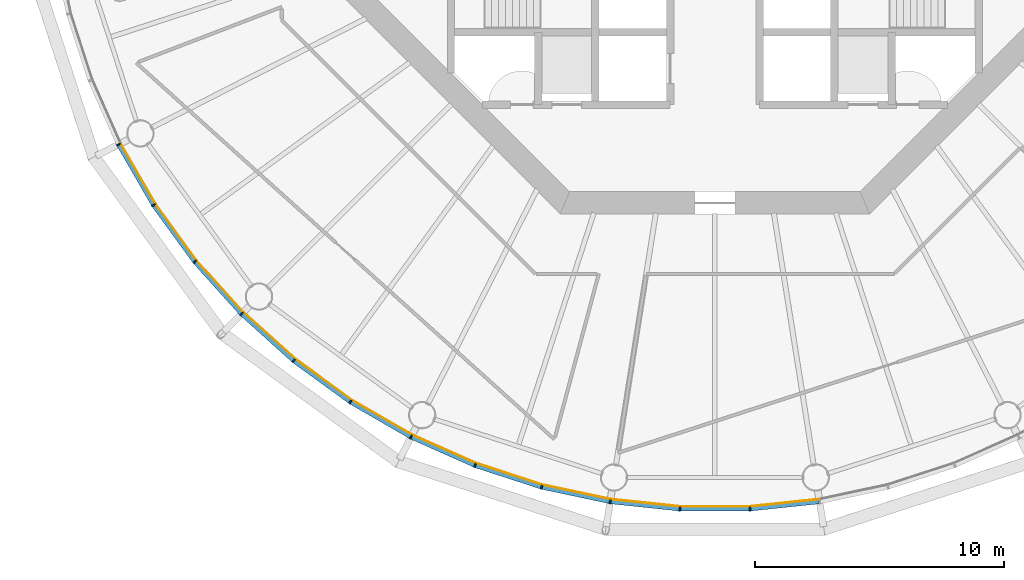
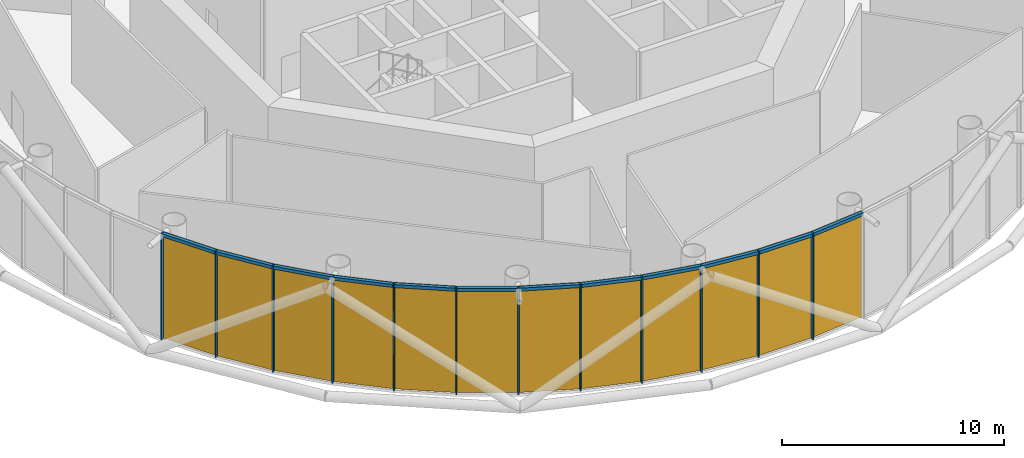
# One storey, part 7 of 14: 24 members, 4 curtain walls.
"""IFC4 building model written with IfcOpenShell, lengths in metres."""

from ifc_helpers import new_model, si_unit, direction, frame, origin, origin_2d, place, context, subcontext, project, spatial, polyline, rectangle, outline, extrude, material, layer, layer_set, material_profile, profile_set, type_object, element, aggregate, save


model = new_model("IFC4")

# Units and contexts
model_context = context("Model", 3, precision=1e-05, world=origin(), true_north=direction((0.0, 1.0)))
body_context = subcontext(model_context, "Body", "Model", "MODEL_VIEW")
ifc_project = project(units=[si_unit("LENGTHUNIT", "METRE"), si_unit("AREAUNIT", "SQUARE_METRE"), si_unit("VOLUMEUNIT", "CUBIC_METRE"), si_unit("PLANEANGLEUNIT", "RADIAN"), si_unit("MASSUNIT", "GRAM", prefix="KILO")], contexts=[model_context])

# Member
ifc_material_1 = material(Name="Anodised aluminium", Category="aluminium")
ifc_material_profile_1 = material_profile(ifc_material_1, rectangle(XDim=0.06005859375, YDim=0.169921875, at=origin_2d()), Name="Mullion 60 x 170 mm anodised aluminium")
ifc_profile_set_1 = profile_set([ifc_material_profile_1], Name="Anodised aluminium")
member_type_1 = type_object("IfcMemberType", Name="Mullion 60 x 170 mm anodised aluminium", PredefinedType="MULLION", material=ifc_profile_set_1)
site_placement = place(None, origin())
building_placement = place(site_placement, origin())
storey_placement = place(building_placement, frame((0.0, 0.0, 262.0)))
member_1_placement = place(storey_placement, frame((66.04541015625, 67.79443359375, 0.0), z_axis=(0.0, 0.0, 1.0), x_axis=(0.45399049974, -0.891006524188, 0.0)))
member_1 = element("IfcMember", 1, at=member_1_placement, type_object=member_type_1, Name="MULLION L60-33", PredefinedType="MULLION", context=body_context, shape_type="SweptSolid", body=[
    extrude(rectangle(XDim=0.06005859375, YDim=0.169921875, at=origin_2d()), origin(), (0.0, 0.0, 1.0), 5.85009765625),
])

member_2_placement = place(storey_placement, frame((67.452392578125, 65.357421875, 0.0), z_axis=(0.0, 0.0, 1.0), x_axis=(0.544639035015, -0.838670567945, 0.0)))
member_2 = element("IfcMember", 2, at=member_2_placement, type_object=member_type_1, Name="MULLION L60-34", PredefinedType="MULLION", context=body_context, shape_type="SweptSolid", body=[
    extrude(rectangle(XDim=0.06005859375, YDim=0.169921875, at=origin_2d()), origin(), (0.0, 0.0, 1.0), 5.85009765625),
])

member_3_placement = place(storey_placement, frame((69.1064453125, 63.080810546875, 0.0), z_axis=(0.0, 0.0, 1.0), x_axis=(0.62932039105, -0.777145961457, 0.0)))
member_3 = element("IfcMember", 3, at=member_3_placement, type_object=member_type_1, Name="MULLION L60-35", PredefinedType="MULLION", context=body_context, shape_type="SweptSolid", body=[
    extrude(rectangle(XDim=0.06005859375, YDim=0.169921875, at=origin_2d()), origin(), (0.0, 0.0, 1.0), 5.85009765625),
])

member_4_placement = place(storey_placement, frame((70.989501953125, 60.989501953125, 0.0), z_axis=(0.0, 0.0, 1.0), x_axis=(0.707106781187, -0.707106781187, 0.0)))
member_4 = element("IfcMember", 4, at=member_4_placement, type_object=member_type_1, Name="MULLION L60-36", PredefinedType="MULLION", context=body_context, shape_type="SweptSolid", body=[
    extrude(rectangle(XDim=0.06005859375, YDim=0.169921875, at=origin_2d()), origin(), (0.0, 0.0, 1.0), 5.85009765625),
])

member_5_placement = place(storey_placement, frame((73.080810546875, 59.1064453125, 0.0), z_axis=(0.0, 0.0, 1.0), x_axis=(0.777145961457, -0.62932039105, 0.0)))
member_5 = element("IfcMember", 5, at=member_5_placement, type_object=member_type_1, Name="MULLION L60-37", PredefinedType="MULLION", context=body_context, shape_type="SweptSolid", body=[
    extrude(rectangle(XDim=0.06005859375, YDim=0.169921875, at=origin_2d()), origin(), (0.0, 0.0, 1.0), 5.85009765625),
])

member_6_placement = place(storey_placement, frame((75.357421875, 57.452392578125, 0.0), z_axis=(0.0, 0.0, 1.0), x_axis=(0.838670567945, -0.544639035015, 0.0)))
member_6 = element("IfcMember", 6, at=member_6_placement, type_object=member_type_1, Name="MULLION L60-38", PredefinedType="MULLION", context=body_context, shape_type="SweptSolid", body=[
    extrude(rectangle(XDim=0.06005859375, YDim=0.169921875, at=origin_2d()), origin(), (0.0, 0.0, 1.0), 5.85009765625),
])

member_7_placement = place(storey_placement, frame((77.79443359375, 56.04541015625, 0.0), z_axis=(0.0, 0.0, 1.0), x_axis=(0.891006524188, -0.45399049974, 0.0)))
member_7 = element("IfcMember", 7, at=member_7_placement, type_object=member_type_1, Name="MULLION L60-39", PredefinedType="MULLION", context=body_context, shape_type="SweptSolid", body=[
    extrude(rectangle(XDim=0.06005859375, YDim=0.169921875, at=origin_2d()), origin(), (0.0, 0.0, 1.0), 5.85009765625),
])

member_8_placement = place(storey_placement, frame((80.365234375, 54.900634765625, 0.0), z_axis=(0.0, 0.0, 1.0), x_axis=(0.933580426497, -0.358367949545, 0.0)))
member_8 = element("IfcMember", 8, at=member_8_placement, type_object=member_type_1, Name="MULLION L60-40", PredefinedType="MULLION", context=body_context, shape_type="SweptSolid", body=[
    extrude(rectangle(XDim=0.06005859375, YDim=0.169921875, at=origin_2d()), origin(), (0.0, 0.0, 1.0), 5.85009765625),
])

member_9_placement = place(storey_placement, frame((83.041748046875, 54.031005859375, 0.0), z_axis=(0.0, 0.0, 1.0), x_axis=(0.965925826289, -0.258819045103, 0.0)))
member_9 = element("IfcMember", 9, at=member_9_placement, type_object=member_type_1, Name="MULLION L60-41", PredefinedType="MULLION", context=body_context, shape_type="SweptSolid", body=[
    extrude(rectangle(XDim=0.06005859375, YDim=0.169921875, at=origin_2d()), origin(), (0.0, 0.0, 1.0), 5.85009765625),
])

member_10_placement = place(storey_placement, frame((85.794189453125, 53.446044921875, 0.0), z_axis=(0.0, 0.0, 1.0), x_axis=(0.987688340595, -0.15643446504, 0.0)))
member_10 = element("IfcMember", 10, at=member_10_placement, type_object=member_type_1, Name="MULLION L60-42", PredefinedType="MULLION", context=body_context, shape_type="SweptSolid", body=[
    extrude(rectangle(XDim=0.06005859375, YDim=0.169921875, at=origin_2d()), origin(), (0.0, 0.0, 1.0), 5.85009765625),
])

member_11_placement = place(storey_placement, frame((88.593017578125, 53.15185546875, 0.0), z_axis=(0.0, 0.0, 1.0), x_axis=(0.998629534755, -0.052335956243, 0.0)))
member_11 = element("IfcMember", 11, at=member_11_placement, type_object=member_type_1, Name="MULLION L60-43", PredefinedType="MULLION", context=body_context, shape_type="SweptSolid", body=[
    extrude(rectangle(XDim=0.06005859375, YDim=0.169921875, at=origin_2d()), origin(), (0.0, 0.0, 1.0), 5.85009765625),
])

member_12_placement = place(storey_placement, frame((91.406982421875, 53.15185546875, 0.0), z_axis=(0.0, 0.0, 1.0), x_axis=(0.998629534755, 0.052335956243, 0.0)))
member_12 = element("IfcMember", 12, at=member_12_placement, type_object=member_type_1, Name="MULLION L60-44", PredefinedType="MULLION", context=body_context, shape_type="SweptSolid", body=[
    extrude(rectangle(XDim=0.06005859375, YDim=0.169921875, at=origin_2d()), origin(), (0.0, 0.0, 1.0), 5.85009765625),
])

ifc_material_2 = material(Name="Anodised aluminium", Category="aluminium")
ifc_material_profile_2 = material_profile(ifc_material_2, rectangle(XDim=0.169921875, YDim=0.1650390625, at=origin_2d()), Name="Transom 165 x 170 mm anodised aluminium")
ifc_profile_set_2 = profile_set([ifc_material_profile_2], Name="Anodised aluminium")
member_type_2 = type_object("IfcMemberType", Name="Transom 165 x 170 mm anodised aluminium", PredefinedType="USERDEFINED", material=ifc_profile_set_2)
member_13_placement = place(storey_placement, frame((66.0625, 67.7646484375, 5.767578125), z_axis=(0.49998419723, -0.866034527326, 0.0), x_axis=(0.866034527326, 0.49998419723, 0.0)))
member_13 = element("IfcMember", 13, at=member_13_placement, type_object=member_type_2, Name="TRANSOM L60-33", ObjectType="TRANSOM", PredefinedType="USERDEFINED", context=body_context, shape_type="SweptSolid", body=[
    extrude(rectangle(XDim=0.169921875, YDim=0.1650390625, at=origin_2d()), origin(), (0.0, 0.0, 1.0), 2.7451171875),
])

member_14_placement = place(storey_placement, frame((67.472412109375, 65.329345703125, 5.767578125), z_axis=(0.587864947412, -0.808959086484, 0.0), x_axis=(0.808959086484, 0.587864947412, 0.0)))
member_14 = element("IfcMember", 14, at=member_14_placement, type_object=member_type_2, Name="TRANSOM L60-34", ObjectType="TRANSOM", PredefinedType="USERDEFINED", context=body_context, shape_type="SweptSolid", body=[
    extrude(rectangle(XDim=0.169921875, YDim=0.1650390625, at=origin_2d()), origin(), (0.0, 0.0, 1.0), 2.7451171875),
])

member_15_placement = place(storey_placement, frame((69.12939453125, 63.054931640625, 5.767578125), z_axis=(0.669141598561, -0.743134927907, 0.0), x_axis=(0.743134927907, 0.669141598561, 0.0)))
member_15 = element("IfcMember", 15, at=member_15_placement, type_object=member_type_2, Name="TRANSOM L60-35", ObjectType="TRANSOM", PredefinedType="USERDEFINED", context=body_context, shape_type="SweptSolid", body=[
    extrude(rectangle(XDim=0.169921875, YDim=0.1650390625, at=origin_2d()), origin(), (0.0, 0.0, 1.0), 2.7451171875),
])

member_16_placement = place(storey_placement, frame((71.014892578125, 60.96630859375, 5.767578125), z_axis=(0.743134927907, -0.669141598561, 0.0), x_axis=(0.669141598561, 0.743134927907, 0.0)))
member_16 = element("IfcMember", 16, at=member_16_placement, type_object=member_type_2, Name="TRANSOM L60-36", ObjectType="TRANSOM", PredefinedType="USERDEFINED", context=body_context, shape_type="SweptSolid", body=[
    extrude(rectangle(XDim=0.169921875, YDim=0.1650390625, at=origin_2d()), origin(), (0.0, 0.0, 1.0), 2.7451171875),
])

member_17_placement = place(storey_placement, frame((73.108642578125, 59.086181640625, 5.767578125), z_axis=(0.808959086484, -0.587864947412, 0.0), x_axis=(0.587864947412, 0.808959086484, 0.0)))
member_17 = element("IfcMember", 17, at=member_17_placement, type_object=member_type_2, Name="TRANSOM L60-37", ObjectType="TRANSOM", PredefinedType="USERDEFINED", context=body_context, shape_type="SweptSolid", body=[
    extrude(rectangle(XDim=0.169921875, YDim=0.1650390625, at=origin_2d()), origin(), (0.0, 0.0, 1.0), 2.7451171875),
])

member_18_placement = place(storey_placement, frame((75.38720703125, 57.43505859375, 5.767578125), z_axis=(0.866034527326, -0.49998419723, 0.0), x_axis=(0.49998419723, 0.866034527326, 0.0)))
member_18 = element("IfcMember", 18, at=member_18_placement, type_object=member_type_2, Name="TRANSOM L60-38", ObjectType="TRANSOM", PredefinedType="USERDEFINED", context=body_context, shape_type="SweptSolid", body=[
    extrude(rectangle(XDim=0.169921875, YDim=0.1650390625, at=origin_2d()), origin(), (0.0, 0.0, 1.0), 2.7451171875),
])

member_19_placement = place(storey_placement, frame((77.825927734375, 56.03125, 5.767578125), z_axis=(0.913525267704, -0.406781987391, 0.0), x_axis=(0.406781987391, 0.913525267704, 0.0)))
member_19 = element("IfcMember", 19, at=member_19_placement, type_object=member_type_2, Name="TRANSOM L60-39", ObjectType="TRANSOM", PredefinedType="USERDEFINED", context=body_context, shape_type="SweptSolid", body=[
    extrude(rectangle(XDim=0.169921875, YDim=0.1650390625, at=origin_2d()), origin(), (0.0, 0.0, 1.0), 2.7451171875),
])

member_20_placement = place(storey_placement, frame((80.39794921875, 54.889892578125, 5.767578125), z_axis=(0.951048445774, -0.309041831781, 0.0), x_axis=(0.309041831781, 0.951048445774, 0.0)))
member_20 = element("IfcMember", 20, at=member_20_placement, type_object=member_type_2, Name="TRANSOM L60-40", ObjectType="TRANSOM", PredefinedType="USERDEFINED", context=body_context, shape_type="SweptSolid", body=[
    extrude(rectangle(XDim=0.169921875, YDim=0.1650390625, at=origin_2d()), origin(), (0.0, 0.0, 1.0), 2.7451171875),
])

member_21_placement = place(storey_placement, frame((83.075439453125, 54.02392578125, 5.767578125), z_axis=(0.97814212115, -0.207937468562, 0.0), x_axis=(0.207937468562, 0.97814212115, 0.0)))
member_21 = element("IfcMember", 21, at=member_21_placement, type_object=member_type_2, Name="TRANSOM L60-41", ObjectType="TRANSOM", PredefinedType="USERDEFINED", context=body_context, shape_type="SweptSolid", body=[
    extrude(rectangle(XDim=0.169921875, YDim=0.1650390625, at=origin_2d()), origin(), (0.0, 0.0, 1.0), 2.7451171875),
])

member_22_placement = place(storey_placement, frame((85.82861328125, 53.4423828125, 5.767578125), z_axis=(0.994515195344, -0.104592190102, 0.0), x_axis=(0.104592190102, 0.994515195344, 0.0)))
member_22 = element("IfcMember", 22, at=member_22_placement, type_object=member_type_2, Name="TRANSOM L60-42", ObjectType="TRANSOM", PredefinedType="USERDEFINED", context=body_context, shape_type="SweptSolid", body=[
    extrude(rectangle(XDim=0.169921875, YDim=0.1650390625, at=origin_2d()), origin(), (0.0, 0.0, 1.0), 2.7451171875),
])

member_23_placement = place(storey_placement, frame((88.62744140625, 53.151611328125, 5.767578125), z_axis=(1.0, 0.0, 0.0), x_axis=(0.0, 1.0, 0.0)))
member_23 = element("IfcMember", 23, at=member_23_placement, type_object=member_type_2, Name="TRANSOM L60-43", ObjectType="TRANSOM", PredefinedType="USERDEFINED", context=body_context, shape_type="SweptSolid", body=[
    extrude(rectangle(XDim=0.169921875, YDim=0.1650390625, at=origin_2d()), origin(), (0.0, 0.0, 1.0), 2.7451171875),
])

member_24_placement = place(storey_placement, frame((91.44140625, 53.1552734375, 5.767578125), z_axis=(0.994515195344, 0.104592190102, 0.0), x_axis=(-0.104592190102, 0.994515195344, 0.0)))
member_24 = element("IfcMember", 24, at=member_24_placement, type_object=member_type_2, Name="TRANSOM L60-44", ObjectType="TRANSOM", PredefinedType="USERDEFINED", context=body_context, shape_type="SweptSolid", body=[
    extrude(rectangle(XDim=0.169921875, YDim=0.1650390625, at=origin_2d()), origin(), (0.0, 0.0, 1.0), 2.7451171875),
])

# Site, building, storey
site = spatial("IfcSite", under=ifc_project, at=site_placement, CompositionType="ELEMENT")
building = spatial("IfcBuilding", under=site, at=building_placement, Name="Entoto Ring Tower", CompositionType="ELEMENT")
storey = spatial("IfcBuildingStorey", under=building, at=storey_placement, Name="L60", CompositionType="ELEMENT", Elevation=262.0)

# Curtain wall
ifc_material_3 = material(Name="Clear low-iron glass", Category="glass")
ifc_layer = layer(ifc_material_3, 0.031982421875)
ifc_layer_set = layer_set([ifc_layer], Name="Clear low-iron glass")
curtain_wall_type = type_object("IfcCurtainWallType", Name="Curtain wall system CW4 glazing 32 mm", PredefinedType="NOTDEFINED", material=ifc_layer_set)
curtain_wall_1_placement = place(storey_placement, origin())
curtain_wall_1 = element("IfcCurtainWall", 25, at=curtain_wall_1_placement, inside=storey, type_object=curtain_wall_type, Name="CW4 L60-12", PredefinedType="NOTDEFINED", context=body_context, shape_type="SweptSolid", body=[
    extrude(outline(polyline([(66.12109375, 67.8330078125), (67.523681640625, 65.403564453125), (69.172607421875, 63.13427734375), (71.049560546875, 61.049560546875), (71.072265625, 61.072265625), (69.197509765625, 63.154296875), (67.550537109375, 65.421142578125), (66.149658203125, 67.84765625), (66.12109375, 67.8330078125)])), origin(), (0.0, 0.0, 1.0), 5.85009765625),
])

aggregate(curtain_wall_1, [member_1, member_2, member_3, member_13, member_14, member_15])

curtain_wall_2_placement = place(storey_placement, origin())
curtain_wall_2 = element("IfcCurtainWall", 26, at=curtain_wall_2_placement, inside=storey, type_object=curtain_wall_type, Name="CW4 L60-13", PredefinedType="NOTDEFINED", context=body_context, shape_type="SweptSolid", body=[
    extrude(outline(polyline([(71.049560546875, 61.049560546875), (73.13427734375, 59.172607421875), (75.403564453125, 57.523681640625), (77.8330078125, 56.12109375), (77.84765625, 56.149658203125), (75.421142578125, 57.550537109375), (73.154296875, 59.197509765625), (71.072265625, 61.072265625), (71.049560546875, 61.049560546875)])), origin(), (0.0, 0.0, 1.0), 5.85009765625),
])

aggregate(curtain_wall_2, [member_4, member_5, member_6, member_16, member_17, member_18])

curtain_wall_3_placement = place(storey_placement, origin())
curtain_wall_3 = element("IfcCurtainWall", 27, at=curtain_wall_3_placement, inside=storey, type_object=curtain_wall_type, Name="CW4 L60-14", PredefinedType="NOTDEFINED", context=body_context, shape_type="SweptSolid", body=[
    extrude(outline(polyline([(77.8330078125, 56.12109375), (80.395751953125, 54.97998046875), (83.063720703125, 54.11328125), (85.8076171875, 53.530029296875), (85.8125, 53.5615234375), (83.072021484375, 54.14404296875), (80.4072265625, 55.010009765625), (77.84765625, 56.149658203125), (77.8330078125, 56.12109375)])), origin(), (0.0, 0.0, 1.0), 5.85009765625),
])

aggregate(curtain_wall_3, [member_7, member_8, member_9, member_19, member_20, member_21])

curtain_wall_4_placement = place(storey_placement, origin())
curtain_wall_4 = element("IfcCurtainWall", 28, at=curtain_wall_4_placement, inside=storey, type_object=curtain_wall_type, Name="CW4 L60-15", PredefinedType="NOTDEFINED", context=body_context, shape_type="SweptSolid", body=[
    extrude(outline(polyline([(85.8076171875, 53.530029296875), (88.597412109375, 53.23681640625), (91.402587890625, 53.23681640625), (94.1923828125, 53.530029296875), (94.1875, 53.5615234375), (91.40087890625, 53.268798828125), (88.59912109375, 53.268798828125), (85.8125, 53.5615234375), (85.8076171875, 53.530029296875)])), origin(), (0.0, 0.0, 1.0), 5.85009765625),
])

aggregate(curtain_wall_4, [member_10, member_11, member_12, member_22, member_23, member_24])

save(model, "model.ifc")
